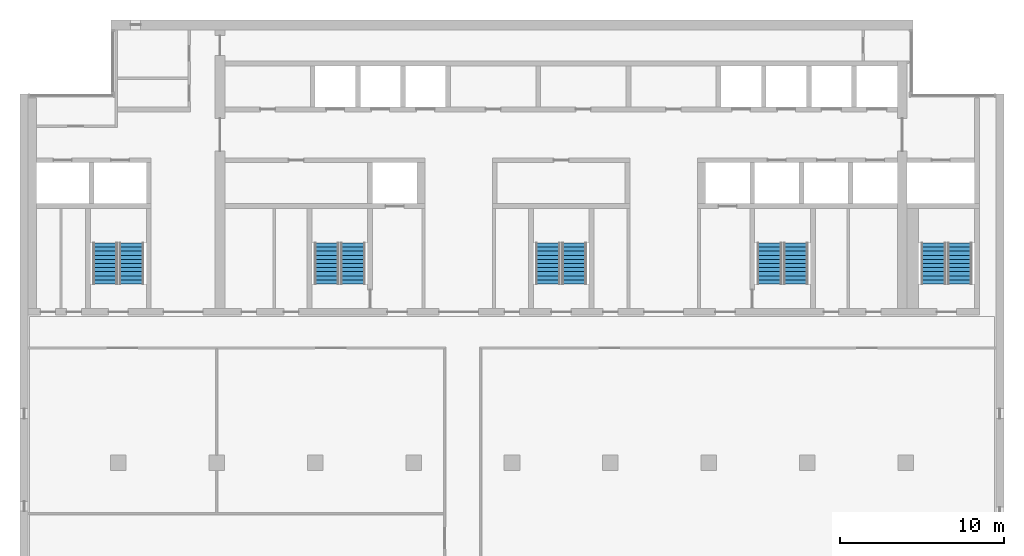
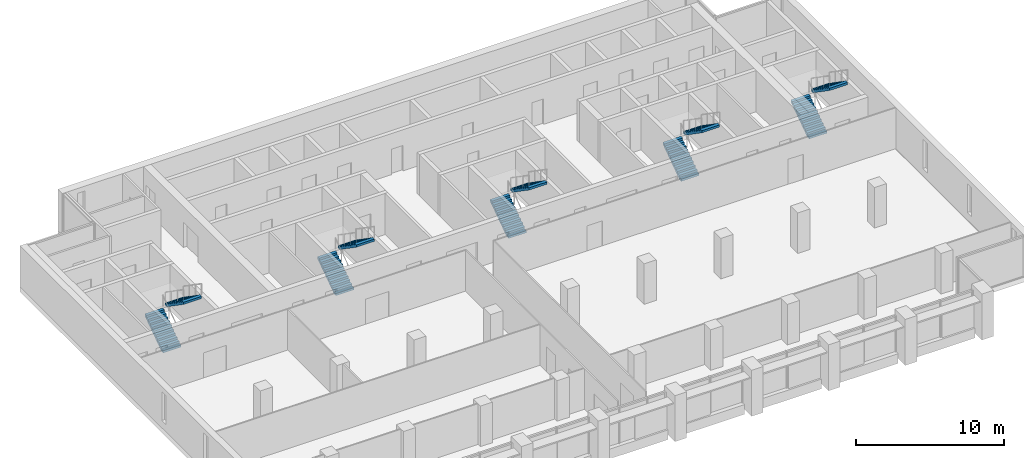
# One storey, part 12 of 14: 10 stair flights, 5 elements without a shape of their own.
"""IFC4 building model written with IfcOpenShell, lengths in metres."""

from ifc_helpers import new_model, si_unit, direction, frame, origin, place, context, subcontext, project, spatial, polyline, outline, extrude, material, type_object, element, aggregate, save


model = new_model("IFC4")

# Units and contexts
model_context = context("Model", 3, precision=1e-05, world=origin(), true_north=direction((0.0, 1.0)))
body_context = subcontext(model_context, "Body", "Model", "MODEL_VIEW")
ifc_project = project(units=[si_unit("LENGTHUNIT", "METRE"), si_unit("AREAUNIT", "SQUARE_METRE"), si_unit("VOLUMEUNIT", "CUBIC_METRE"), si_unit("PLANEANGLEUNIT", "RADIAN"), si_unit("MASSUNIT", "GRAM", prefix="KILO")], contexts=[model_context])

# Site, building, storey
site_placement = place(None, origin())
site = spatial("IfcSite", under=ifc_project, at=site_placement, CompositionType="ELEMENT")
building_placement = place(site_placement, origin())
building = spatial("IfcBuilding", under=site, at=building_placement, Name="Calvaro Tower", CompositionType="ELEMENT")
storey_placement = place(building_placement, frame((0.0, 0.0, 235.550048828125)))
storey = spatial("IfcBuildingStorey", under=building, at=storey_placement, Name="L59", CompositionType="ELEMENT", Elevation=235.550048828125)

# Stair, stair flights
ifc_material_1 = material(Name="Concrete C40/50", Category="concrete")
stair_type = type_object("IfcStairType", Name="Exit stair 1400 2 flights", PredefinedType="HALF_TURN_STAIR", material=ifc_material_1)
stair_1_placement = place(storey_placement, origin())
stair_1 = element("IfcStair", 1, at=stair_1_placement, inside=storey, type_object=stair_type, Name="Exit stair S1", PredefinedType="HALF_TURN_STAIR")
ifc_material_2 = material(Name="Concrete C40/50", Category="concrete")
stair_flight_type = type_object("IfcStairFlightType", Name="Stair flight", PredefinedType="STRAIGHT", material=ifc_material_2)
stair_flight_1_placement = place(storey_placement, frame((11.199951171875, 29.89990234375, 0.0), z_axis=(0.0, 0.0, 1.0), x_axis=(0.0, 1.0, 0.0)))
stair_flight_1 = element("IfcStairFlight", 2, at=stair_flight_1_placement, type_object=stair_flight_type, Name="Exit stair 1, flight 1", NumberOfRisers=11, NumberOfTreads=10, PredefinedType="STRAIGHT", RiserHeight=0.172727273, TreadLength=0.25, context=body_context, shape_type="SweptSolid", body=[
    extrude(outline(polyline([(0.0, 0.0), (0.0, 0.172607421875), (0.25, 0.172607421875), (0.25, 0.345458984375), (0.5, 0.345458984375), (0.5, 0.51806640625), (0.75, 0.51806640625), (0.75, 0.69091796875), (1.0, 0.69091796875), (1.0, 0.863525390625), (1.25, 0.863525390625), (1.25, 1.036376953125), (1.5, 1.036376953125), (1.5, 1.208984375), (1.75, 1.208984375), (1.75, 1.3818359375), (2.0, 1.3818359375), (2.0, 1.554443359375), (2.25, 1.554443359375), (2.25, 1.727294921875), (2.5, 1.727294921875), (2.5, 1.89990234375), (2.5, 1.545166015625), (0.263671875, 0.0), (0.0, 0.0)])), frame((0.0, 0.699951171875, 0.0), z_axis=(0.0, -1.0, 0.0), x_axis=(1.0, 0.0, 0.0)), (0.0, 0.0, 1.0), 1.39990234375),
])
stair_flight_2_placement = place(storey_placement, frame((12.800048828125, 32.39990234375, 1.89990234375), z_axis=(0.0, 0.0, 1.0), x_axis=(0.0, -1.0, 0.0)))
stair_flight_2 = element("IfcStairFlight", 3, at=stair_flight_2_placement, type_object=stair_flight_type, Name="Exit stair 1, flight 2", NumberOfRisers=11, NumberOfTreads=10, PredefinedType="STRAIGHT", RiserHeight=0.172727273, TreadLength=0.25, context=body_context, shape_type="SweptSolid", body=[
    extrude(outline(polyline([(0.0, 0.0), (0.0, 0.172607421875), (0.25, 0.172607421875), (0.25, 0.345458984375), (0.5, 0.345458984375), (0.5, 0.51806640625), (0.75, 0.51806640625), (0.75, 0.69091796875), (1.0, 0.69091796875), (1.0, 0.863525390625), (1.25, 0.863525390625), (1.25, 1.036376953125), (1.5, 1.036376953125), (1.5, 1.208984375), (1.75, 1.208984375), (1.75, 1.3818359375), (2.0, 1.3818359375), (2.0, 1.554443359375), (2.25, 1.554443359375), (2.25, 1.727294921875), (2.5, 1.727294921875), (2.5, 1.89990234375), (2.5, 1.545166015625), (0.263671875, 0.0), (0.0, 0.0)])), frame((0.0, 0.699951171875, 0.0), z_axis=(0.0, -1.0, 0.0), x_axis=(1.0, 0.0, 0.0)), (0.0, 0.0, 1.0), 1.39990234375),
])
aggregate(stair_1, [stair_flight_1, stair_flight_2])

stair_2_placement = place(storey_placement, origin())
stair_2 = element("IfcStair", 4, at=stair_2_placement, inside=storey, type_object=stair_type, Name="Exit stair S2", PredefinedType="HALF_TURN_STAIR")
stair_flight_3_placement = place(storey_placement, frame((24.699951171875, 29.89990234375, 0.0), z_axis=(0.0, 0.0, 1.0), x_axis=(0.0, 1.0, 0.0)))
stair_flight_3 = element("IfcStairFlight", 5, at=stair_flight_3_placement, type_object=stair_flight_type, Name="Exit stair 2, flight 1", NumberOfRisers=11, NumberOfTreads=10, PredefinedType="STRAIGHT", RiserHeight=0.172727273, TreadLength=0.25, context=body_context, shape_type="SweptSolid", body=[
    extrude(outline(polyline([(0.0, 0.0), (0.0, 0.172607421875), (0.25, 0.172607421875), (0.25, 0.345458984375), (0.5, 0.345458984375), (0.5, 0.51806640625), (0.75, 0.51806640625), (0.75, 0.69091796875), (1.0, 0.69091796875), (1.0, 0.863525390625), (1.25, 0.863525390625), (1.25, 1.036376953125), (1.5, 1.036376953125), (1.5, 1.208984375), (1.75, 1.208984375), (1.75, 1.3818359375), (2.0, 1.3818359375), (2.0, 1.554443359375), (2.25, 1.554443359375), (2.25, 1.727294921875), (2.5, 1.727294921875), (2.5, 1.89990234375), (2.5, 1.545166015625), (0.263671875, 0.0), (0.0, 0.0)])), frame((0.0, 0.699951171875, 0.0), z_axis=(0.0, -1.0, 0.0), x_axis=(1.0, 0.0, 0.0)), (0.0, 0.0, 1.0), 1.39990234375),
])
stair_flight_4_placement = place(storey_placement, frame((26.300048828125, 32.39990234375, 1.89990234375), z_axis=(0.0, 0.0, 1.0), x_axis=(0.0, -1.0, 0.0)))
stair_flight_4 = element("IfcStairFlight", 6, at=stair_flight_4_placement, type_object=stair_flight_type, Name="Exit stair 2, flight 2", NumberOfRisers=11, NumberOfTreads=10, PredefinedType="STRAIGHT", RiserHeight=0.172727273, TreadLength=0.25, context=body_context, shape_type="SweptSolid", body=[
    extrude(outline(polyline([(0.0, 0.0), (0.0, 0.172607421875), (0.25, 0.172607421875), (0.25, 0.345458984375), (0.5, 0.345458984375), (0.5, 0.51806640625), (0.75, 0.51806640625), (0.75, 0.69091796875), (1.0, 0.69091796875), (1.0, 0.863525390625), (1.25, 0.863525390625), (1.25, 1.036376953125), (1.5, 1.036376953125), (1.5, 1.208984375), (1.75, 1.208984375), (1.75, 1.3818359375), (2.0, 1.3818359375), (2.0, 1.554443359375), (2.25, 1.554443359375), (2.25, 1.727294921875), (2.5, 1.727294921875), (2.5, 1.89990234375), (2.5, 1.545166015625), (0.263671875, 0.0), (0.0, 0.0)])), frame((0.0, 0.699951171875, 0.0), z_axis=(0.0, -1.0, 0.0), x_axis=(1.0, 0.0, 0.0)), (0.0, 0.0, 1.0), 1.39990234375),
])
aggregate(stair_2, [stair_flight_3, stair_flight_4])

stair_3_placement = place(storey_placement, origin())
stair_3 = element("IfcStair", 7, at=stair_3_placement, inside=storey, type_object=stair_type, Name="Exit stair S3", PredefinedType="HALF_TURN_STAIR")
stair_flight_5_placement = place(storey_placement, frame((38.199951171875, 29.89990234375, 0.0), z_axis=(0.0, 0.0, 1.0), x_axis=(0.0, 1.0, 0.0)))
stair_flight_5 = element("IfcStairFlight", 8, at=stair_flight_5_placement, type_object=stair_flight_type, Name="Exit stair 3, flight 1", NumberOfRisers=11, NumberOfTreads=10, PredefinedType="STRAIGHT", RiserHeight=0.172727273, TreadLength=0.25, context=body_context, shape_type="SweptSolid", body=[
    extrude(outline(polyline([(0.0, 0.0), (0.0, 0.172607421875), (0.25, 0.172607421875), (0.25, 0.345458984375), (0.5, 0.345458984375), (0.5, 0.51806640625), (0.75, 0.51806640625), (0.75, 0.69091796875), (1.0, 0.69091796875), (1.0, 0.863525390625), (1.25, 0.863525390625), (1.25, 1.036376953125), (1.5, 1.036376953125), (1.5, 1.208984375), (1.75, 1.208984375), (1.75, 1.3818359375), (2.0, 1.3818359375), (2.0, 1.554443359375), (2.25, 1.554443359375), (2.25, 1.727294921875), (2.5, 1.727294921875), (2.5, 1.89990234375), (2.5, 1.545166015625), (0.263671875, 0.0), (0.0, 0.0)])), frame((0.0, 0.699951171875, 0.0), z_axis=(0.0, -1.0, 0.0), x_axis=(1.0, 0.0, 0.0)), (0.0, 0.0, 1.0), 1.39990234375),
])
stair_flight_6_placement = place(storey_placement, frame((39.800048828125, 32.39990234375, 1.89990234375), z_axis=(0.0, 0.0, 1.0), x_axis=(0.0, -1.0, 0.0)))
stair_flight_6 = element("IfcStairFlight", 9, at=stair_flight_6_placement, type_object=stair_flight_type, Name="Exit stair 3, flight 2", NumberOfRisers=11, NumberOfTreads=10, PredefinedType="STRAIGHT", RiserHeight=0.172727273, TreadLength=0.25, context=body_context, shape_type="SweptSolid", body=[
    extrude(outline(polyline([(0.0, 0.0), (0.0, 0.172607421875), (0.25, 0.172607421875), (0.25, 0.345458984375), (0.5, 0.345458984375), (0.5, 0.51806640625), (0.75, 0.51806640625), (0.75, 0.69091796875), (1.0, 0.69091796875), (1.0, 0.863525390625), (1.25, 0.863525390625), (1.25, 1.036376953125), (1.5, 1.036376953125), (1.5, 1.208984375), (1.75, 1.208984375), (1.75, 1.3818359375), (2.0, 1.3818359375), (2.0, 1.554443359375), (2.25, 1.554443359375), (2.25, 1.727294921875), (2.5, 1.727294921875), (2.5, 1.89990234375), (2.5, 1.545166015625), (0.263671875, 0.0), (0.0, 0.0)])), frame((0.0, 0.699951171875, 0.0), z_axis=(0.0, -1.0, 0.0), x_axis=(1.0, 0.0, 0.0)), (0.0, 0.0, 1.0), 1.39990234375),
])
aggregate(stair_3, [stair_flight_5, stair_flight_6])

stair_4_placement = place(storey_placement, origin())
stair_4 = element("IfcStair", 10, at=stair_4_placement, inside=storey, type_object=stair_type, Name="Exit stair S4", PredefinedType="HALF_TURN_STAIR")
stair_flight_7_placement = place(storey_placement, frame((51.699951171875, 29.89990234375, 0.0), z_axis=(0.0, 0.0, 1.0), x_axis=(0.0, 1.0, 0.0)))
stair_flight_7 = element("IfcStairFlight", 11, at=stair_flight_7_placement, type_object=stair_flight_type, Name="Exit stair 4, flight 1", NumberOfRisers=11, NumberOfTreads=10, PredefinedType="STRAIGHT", RiserHeight=0.172727273, TreadLength=0.25, context=body_context, shape_type="SweptSolid", body=[
    extrude(outline(polyline([(0.0, 0.0), (0.0, 0.172607421875), (0.25, 0.172607421875), (0.25, 0.345458984375), (0.5, 0.345458984375), (0.5, 0.51806640625), (0.75, 0.51806640625), (0.75, 0.69091796875), (1.0, 0.69091796875), (1.0, 0.863525390625), (1.25, 0.863525390625), (1.25, 1.036376953125), (1.5, 1.036376953125), (1.5, 1.208984375), (1.75, 1.208984375), (1.75, 1.3818359375), (2.0, 1.3818359375), (2.0, 1.554443359375), (2.25, 1.554443359375), (2.25, 1.727294921875), (2.5, 1.727294921875), (2.5, 1.89990234375), (2.5, 1.545166015625), (0.263671875, 0.0), (0.0, 0.0)])), frame((0.0, 0.699951171875, 0.0), z_axis=(0.0, -1.0, 0.0), x_axis=(1.0, 0.0, 0.0)), (0.0, 0.0, 1.0), 1.39990234375),
])
stair_flight_8_placement = place(storey_placement, frame((53.300048828125, 32.39990234375, 1.89990234375), z_axis=(0.0, 0.0, 1.0), x_axis=(0.0, -1.0, 0.0)))
stair_flight_8 = element("IfcStairFlight", 12, at=stair_flight_8_placement, type_object=stair_flight_type, Name="Exit stair 4, flight 2", NumberOfRisers=11, NumberOfTreads=10, PredefinedType="STRAIGHT", RiserHeight=0.172727273, TreadLength=0.25, context=body_context, shape_type="SweptSolid", body=[
    extrude(outline(polyline([(0.0, 0.0), (0.0, 0.172607421875), (0.25, 0.172607421875), (0.25, 0.345458984375), (0.5, 0.345458984375), (0.5, 0.51806640625), (0.75, 0.51806640625), (0.75, 0.69091796875), (1.0, 0.69091796875), (1.0, 0.863525390625), (1.25, 0.863525390625), (1.25, 1.036376953125), (1.5, 1.036376953125), (1.5, 1.208984375), (1.75, 1.208984375), (1.75, 1.3818359375), (2.0, 1.3818359375), (2.0, 1.554443359375), (2.25, 1.554443359375), (2.25, 1.727294921875), (2.5, 1.727294921875), (2.5, 1.89990234375), (2.5, 1.545166015625), (0.263671875, 0.0), (0.0, 0.0)])), frame((0.0, 0.699951171875, 0.0), z_axis=(0.0, -1.0, 0.0), x_axis=(1.0, 0.0, 0.0)), (0.0, 0.0, 1.0), 1.39990234375),
])
aggregate(stair_4, [stair_flight_7, stair_flight_8])

stair_5_placement = place(storey_placement, origin())
stair_5 = element("IfcStair", 13, at=stair_5_placement, inside=storey, type_object=stair_type, Name="Exit stair S5", PredefinedType="HALF_TURN_STAIR")
stair_flight_9_placement = place(storey_placement, frame((61.699951171875, 29.89990234375, 0.0), z_axis=(0.0, 0.0, 1.0), x_axis=(0.0, 1.0, 0.0)))
stair_flight_9 = element("IfcStairFlight", 14, at=stair_flight_9_placement, type_object=stair_flight_type, Name="Exit stair 5, flight 1", NumberOfRisers=11, NumberOfTreads=10, PredefinedType="STRAIGHT", RiserHeight=0.172727273, TreadLength=0.25, context=body_context, shape_type="SweptSolid", body=[
    extrude(outline(polyline([(0.0, 0.0), (0.0, 0.172607421875), (0.25, 0.172607421875), (0.25, 0.345458984375), (0.5, 0.345458984375), (0.5, 0.51806640625), (0.75, 0.51806640625), (0.75, 0.69091796875), (1.0, 0.69091796875), (1.0, 0.863525390625), (1.25, 0.863525390625), (1.25, 1.036376953125), (1.5, 1.036376953125), (1.5, 1.208984375), (1.75, 1.208984375), (1.75, 1.3818359375), (2.0, 1.3818359375), (2.0, 1.554443359375), (2.25, 1.554443359375), (2.25, 1.727294921875), (2.5, 1.727294921875), (2.5, 1.89990234375), (2.5, 1.545166015625), (0.263671875, 0.0), (0.0, 0.0)])), frame((0.0, 0.699951171875, 0.0), z_axis=(0.0, -1.0, 0.0), x_axis=(1.0, 0.0, 0.0)), (0.0, 0.0, 1.0), 1.39990234375),
])
stair_flight_10_placement = place(storey_placement, frame((63.300048828125, 32.39990234375, 1.89990234375), z_axis=(0.0, 0.0, 1.0), x_axis=(0.0, -1.0, 0.0)))
stair_flight_10 = element("IfcStairFlight", 15, at=stair_flight_10_placement, type_object=stair_flight_type, Name="Exit stair 5, flight 2", NumberOfRisers=11, NumberOfTreads=10, PredefinedType="STRAIGHT", RiserHeight=0.172727273, TreadLength=0.25, context=body_context, shape_type="SweptSolid", body=[
    extrude(outline(polyline([(0.0, 0.0), (0.0, 0.172607421875), (0.25, 0.172607421875), (0.25, 0.345458984375), (0.5, 0.345458984375), (0.5, 0.51806640625), (0.75, 0.51806640625), (0.75, 0.69091796875), (1.0, 0.69091796875), (1.0, 0.863525390625), (1.25, 0.863525390625), (1.25, 1.036376953125), (1.5, 1.036376953125), (1.5, 1.208984375), (1.75, 1.208984375), (1.75, 1.3818359375), (2.0, 1.3818359375), (2.0, 1.554443359375), (2.25, 1.554443359375), (2.25, 1.727294921875), (2.5, 1.727294921875), (2.5, 1.89990234375), (2.5, 1.545166015625), (0.263671875, 0.0), (0.0, 0.0)])), frame((0.0, 0.699951171875, 0.0), z_axis=(0.0, -1.0, 0.0), x_axis=(1.0, 0.0, 0.0)), (0.0, 0.0, 1.0), 1.39990234375),
])
aggregate(stair_5, [stair_flight_9, stair_flight_10])

save(model, "model.ifc")
